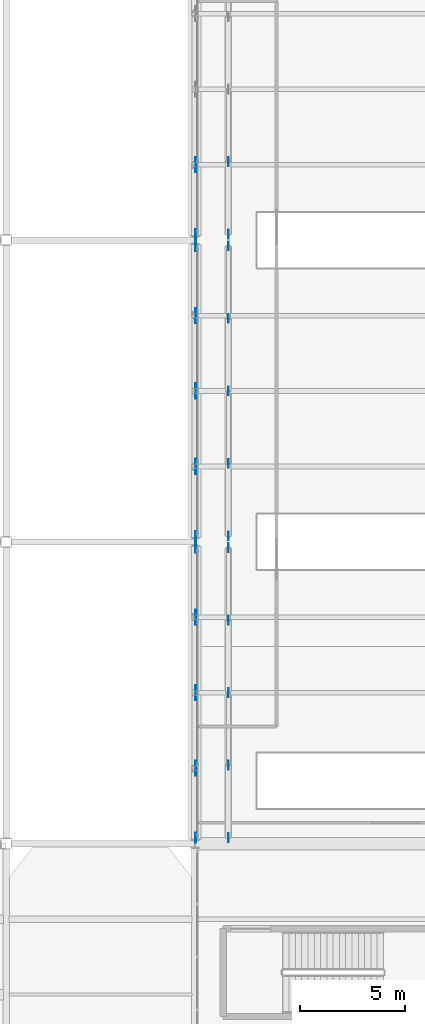
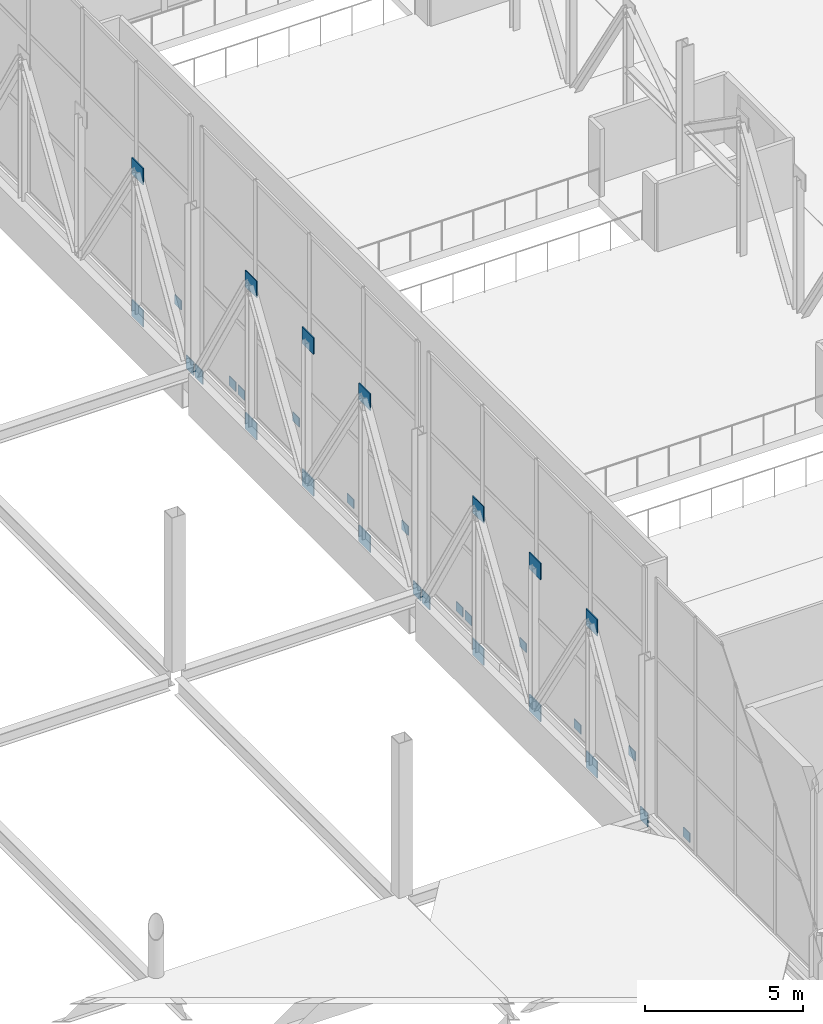
# One storey, part 159 of 191: 31 plates.
"""IFC4 building model written with IfcOpenShell, lengths in metres."""

from ifc_helpers import new_model, si_unit, direction, frame, origin, origin_2d, place, context, subcontext, project, spatial, rectangle, extrude, material, layer, layer_set, type_object, element, save


model = new_model("IFC4")

# Units and contexts
model_context = context("Model", 3, precision=1e-05, world=origin(), true_north=direction((0.0, 1.0)))
body_context = subcontext(model_context, "Body", "Model", "MODEL_VIEW")
ifc_project = project(units=[si_unit("LENGTHUNIT", "METRE"), si_unit("AREAUNIT", "SQUARE_METRE"), si_unit("VOLUMEUNIT", "CUBIC_METRE"), si_unit("PLANEANGLEUNIT", "RADIAN"), si_unit("MASSUNIT", "GRAM", prefix="KILO")], contexts=[model_context])

# Site, building, storey
site_placement = place(None, origin())
site = spatial("IfcSite", under=ifc_project, at=site_placement, CompositionType="ELEMENT")
building_placement = place(site_placement, origin())
building = spatial("IfcBuilding", under=site, at=building_placement, Name="Tamarisk Ironworks Central Station", CompositionType="ELEMENT")
storey_placement = place(building_placement, frame((0.0, 0.0, 6.60009765625)))
storey = spatial("IfcBuildingStorey", under=building, at=storey_placement, Name="L01", CompositionType="ELEMENT", Elevation=6.60009765625)

# Plates
ifc_material_1 = material(Name="Structural steel S355J2H", Category="steel")
ifc_layer_1 = layer(ifc_material_1, 0.02587890625)
ifc_layer_set_1 = layer_set([ifc_layer_1], Name="Structural steel S355J2H")
plate_type_1 = type_object("IfcPlateType", Name="PL-ND26", PredefinedType="SHEET", material=ifc_layer_set_1)
for number, where, z_axis, x_axis, name in (
    (1, (55.60009765625, 21.8798828125, -1.8203125), (0.0, 0.0, 1.0), (1.0, 0.0, 0.0), "Bridge deck stiffening brace gusset plate 129"),
    (2, (55.60009765625, 25.340087890625, -0.76025390625), (0.0, 0.0, 1.0), (1.0, 0.0, 0.0), "Bridge deck stiffening brace gusset plate 130"),
    (3, (55.60009765625, 28.800048828125, -1.8203125), (0.0, 0.0, 1.0), (1.0, 0.0, 0.0), "Bridge deck stiffening brace gusset plate 131"),
    (4, (55.60009765625, 32.260009765625, -0.76025390625), (0.0, 0.0, 1.0), (1.0, 0.0, 0.0), "Bridge deck stiffening brace gusset plate 132"),
    (5, (55.60009765625, 35.719970703125, -1.8203125), (0.0, 0.0, 1.0), (1.0, 0.0, 0.0), "Bridge deck stiffening brace gusset plate 133"),
    (6, (55.60009765625, 36.280029296875, -1.8203125), (0.0, 0.0, 1.0), (1.0, 0.0, 0.0), "Bridge deck stiffening brace gusset plate 134"),
    (7, (55.60009765625, 39.739990234375, -0.76025390625), (0.0, 0.0, 1.0), (1.0, 0.0, 0.0), "Bridge deck stiffening brace gusset plate 135"),
    (8, (55.60009765625, 43.199951171875, -1.8203125), (0.0, 0.0, 1.0), (1.0, 0.0, 0.0), "Bridge deck stiffening brace gusset plate 136"),
    (9, (55.60009765625, 46.659912109375, -0.76025390625), (0.0, 0.0, 1.0), (1.0, 0.0, 0.0), "Bridge deck stiffening brace gusset plate 137"),
    (10, (55.60009765625, 50.1201171875, -1.8203125), (0.0, 0.0, 1.0), (1.0, 0.0, 0.0), "Bridge deck stiffening brace gusset plate 138"),
    (11, (55.60009765625, 50.679931640625, -1.8203125), (0.0, 0.0, 1.0), (1.0, 0.0, 0.0), "Bridge deck stiffening brace gusset plate 139"),
    (12, (55.60009765625, 54.139892578125, -0.76025390625), (0.0, 0.0, 1.0), (1.0, 0.0, 0.0), "Bridge deck stiffening brace gusset plate 140"),
):
    element("IfcPlate", number, at=place(storey_placement, frame(where, z_axis=z_axis, x_axis=x_axis)), inside=storey, type_object=plate_type_1, Name=name, PredefinedType="SHEET", context=body_context, shape_type="SweptSolid", body=[
        extrude(rectangle(XDim=0.02587890625, YDim=0.419921875, at=origin_2d()), origin(), (0.0, 0.0, 1.0), 0.360107421875),
    ])
ifc_material_2 = material(Name="Structural steel S355J2", Category="steel")
ifc_layer_2 = layer(ifc_material_2, 0.0380859375)
ifc_layer_set_2 = layer_set([ifc_layer_2], Name="Structural steel S355J2")
plate_type_2 = type_object("IfcPlateType", Name="PL-ND38", PredefinedType="SHEET", material=ifc_layer_set_2)
for number, where, z_axis, x_axis, name in (
    (13, (54.044921875, 25.199951171875, -0.7001953125), (0.0, 0.0, 1.0), (1.0, 0.0, 0.0), "Transfer truss gusset node plate 001"),
    (14, (54.044921875, 25.199951171875, 4.7998046875), (0.0, 0.0, 1.0), (1.0, 0.0, 0.0), "Transfer truss gusset node plate 002"),
    (15, (54.044921875, 28.800048828125, -0.7001953125), (0.0, 0.0, 1.0), (1.0, 0.0, 0.0), "Transfer truss gusset node plate 003"),
    (16, (54.044921875, 28.800048828125, 4.7998046875), (0.0, 0.0, 1.0), (1.0, 0.0, 0.0), "Transfer truss gusset node plate 004"),
    (17, (54.044921875, 32.39990234375, -0.7001953125), (0.0, 0.0, 1.0), (1.0, 0.0, 0.0), "Transfer truss gusset node plate 005"),
    (18, (54.044921875, 32.39990234375, 4.7998046875), (0.0, 0.0, 1.0), (1.0, 0.0, 0.0), "Transfer truss gusset node plate 006"),
):
    element("IfcPlate", number, at=place(storey_placement, frame(where, z_axis=z_axis, x_axis=x_axis)), inside=storey, type_object=plate_type_2, Name=name, PredefinedType="SHEET", context=body_context, shape_type="SweptSolid", body=[
        extrude(rectangle(XDim=0.0380859375, YDim=0.719970703125, at=origin_2d()), origin(), (0.0, 0.0, 1.0), 0.639892578125),
    ])
for number, where, z_axis, x_axis, name in (
    (19, (54.044921875, 21.8798828125, -0.64013671875), (0.0, 0.0, 1.0), (1.0, 0.0, 0.0), "Transfer truss end gusset node plate 007"),
    (20, (54.044921875, 35.719970703125, -0.64013671875), (0.0, 0.0, 1.0), (1.0, 0.0, 0.0), "Transfer truss end gusset node plate 008"),
):
    element("IfcPlate", number, at=place(storey_placement, frame(where, z_axis=z_axis, x_axis=x_axis)), inside=storey, type_object=plate_type_2, Name=name, PredefinedType="SHEET", context=body_context, shape_type="SweptSolid", body=[
        extrude(rectangle(XDim=0.0380859375, YDim=0.47998046875, at=origin_2d()), origin(), (0.0, 0.0, 1.0), 0.52001953125),
    ])
for number, where, z_axis, x_axis, name in (
    (21, (54.044921875, 39.60009765625, -0.7001953125), (0.0, 0.0, 1.0), (1.0, 0.0, 0.0), "Transfer truss gusset node plate 009"),
    (22, (54.044921875, 39.60009765625, 4.7998046875), (0.0, 0.0, 1.0), (1.0, 0.0, 0.0), "Transfer truss gusset node plate 010"),
    (23, (54.044921875, 43.199951171875, -0.7001953125), (0.0, 0.0, 1.0), (1.0, 0.0, 0.0), "Transfer truss gusset node plate 011"),
    (24, (54.044921875, 43.199951171875, 4.7998046875), (0.0, 0.0, 1.0), (1.0, 0.0, 0.0), "Transfer truss gusset node plate 012"),
    (25, (54.044921875, 46.800048828125, -0.7001953125), (0.0, 0.0, 1.0), (1.0, 0.0, 0.0), "Transfer truss gusset node plate 013"),
    (26, (54.044921875, 46.800048828125, 4.7998046875), (0.0, 0.0, 1.0), (1.0, 0.0, 0.0), "Transfer truss gusset node plate 014"),
):
    element("IfcPlate", number, at=place(storey_placement, frame(where, z_axis=z_axis, x_axis=x_axis)), inside=storey, type_object=plate_type_2, Name=name, PredefinedType="SHEET", context=body_context, shape_type="SweptSolid", body=[
        extrude(rectangle(XDim=0.0380859375, YDim=0.719970703125, at=origin_2d()), origin(), (0.0, 0.0, 1.0), 0.639892578125),
    ])
for number, where, z_axis, x_axis, name in (
    (27, (54.044921875, 36.280029296875, -0.64013671875), (0.0, 0.0, 1.0), (1.0, 0.0, 0.0), "Transfer truss end gusset node plate 015"),
    (28, (54.044921875, 50.1201171875, -0.64013671875), (0.0, 0.0, 1.0), (1.0, 0.0, 0.0), "Transfer truss end gusset node plate 016"),
):
    element("IfcPlate", number, at=place(storey_placement, frame(where, z_axis=z_axis, x_axis=x_axis)), inside=storey, type_object=plate_type_2, Name=name, PredefinedType="SHEET", context=body_context, shape_type="SweptSolid", body=[
        extrude(rectangle(XDim=0.0380859375, YDim=0.47998046875, at=origin_2d()), origin(), (0.0, 0.0, 1.0), 0.52001953125),
    ])
for number, where, z_axis, x_axis, name in (
    (29, (54.044921875, 54.0, -0.7001953125), (0.0, 0.0, 1.0), (1.0, 0.0, 0.0), "Transfer truss gusset node plate 017"),
    (30, (54.044921875, 54.0, 4.7998046875), (0.0, 0.0, 1.0), (1.0, 0.0, 0.0), "Transfer truss gusset node plate 018"),
):
    element("IfcPlate", number, at=place(storey_placement, frame(where, z_axis=z_axis, x_axis=x_axis)), inside=storey, type_object=plate_type_2, Name=name, PredefinedType="SHEET", context=body_context, shape_type="SweptSolid", body=[
        extrude(rectangle(XDim=0.0380859375, YDim=0.719970703125, at=origin_2d()), origin(), (0.0, 0.0, 1.0), 0.639892578125),
    ])
plate_placement = place(storey_placement, frame((54.044921875, 50.679931640625, -0.64013671875), z_axis=(0.0, 0.0, 1.0), x_axis=(1.0, 0.0, 0.0)))
element("IfcPlate", 31, at=plate_placement, inside=storey, type_object=plate_type_2, Name="Transfer truss end gusset node plate 023", PredefinedType="SHEET", context=body_context, shape_type="SweptSolid", body=[
    extrude(rectangle(XDim=0.0380859375, YDim=0.47998046875, at=origin_2d()), origin(), (0.0, 0.0, 1.0), 0.52001953125),
])

save(model, "model.ifc")
